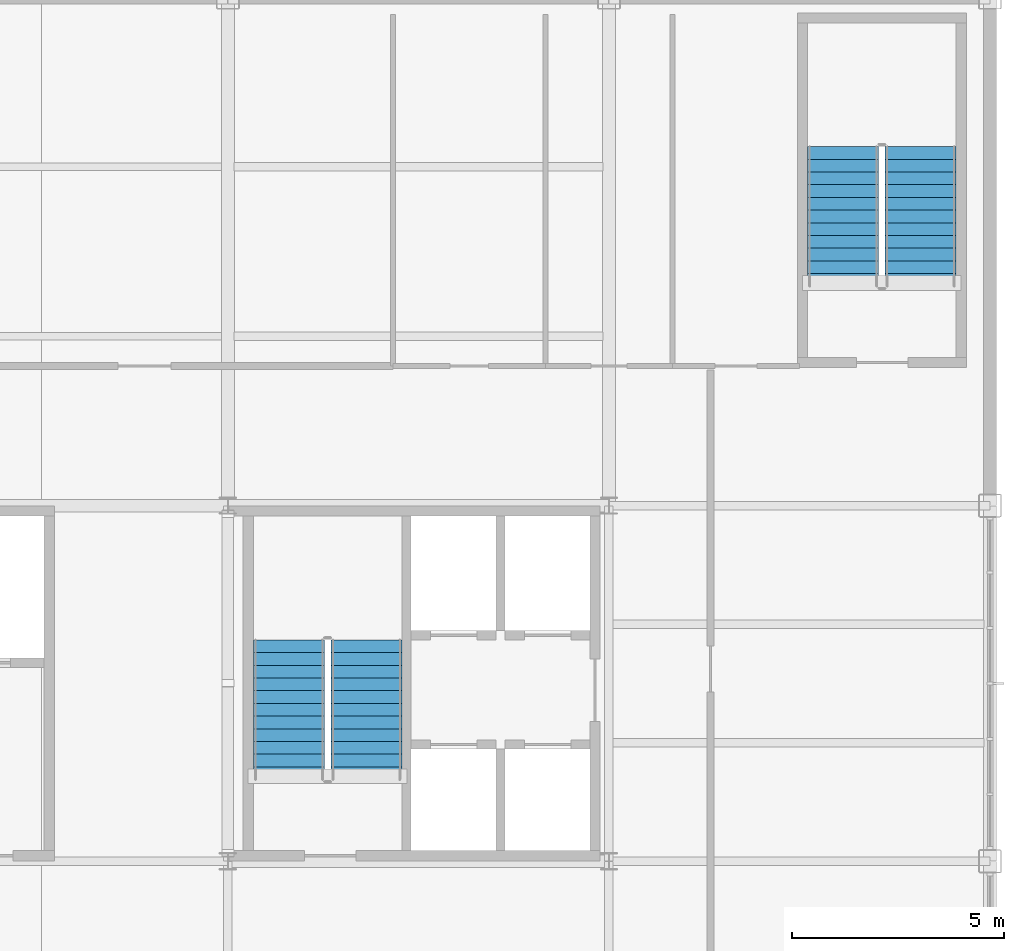
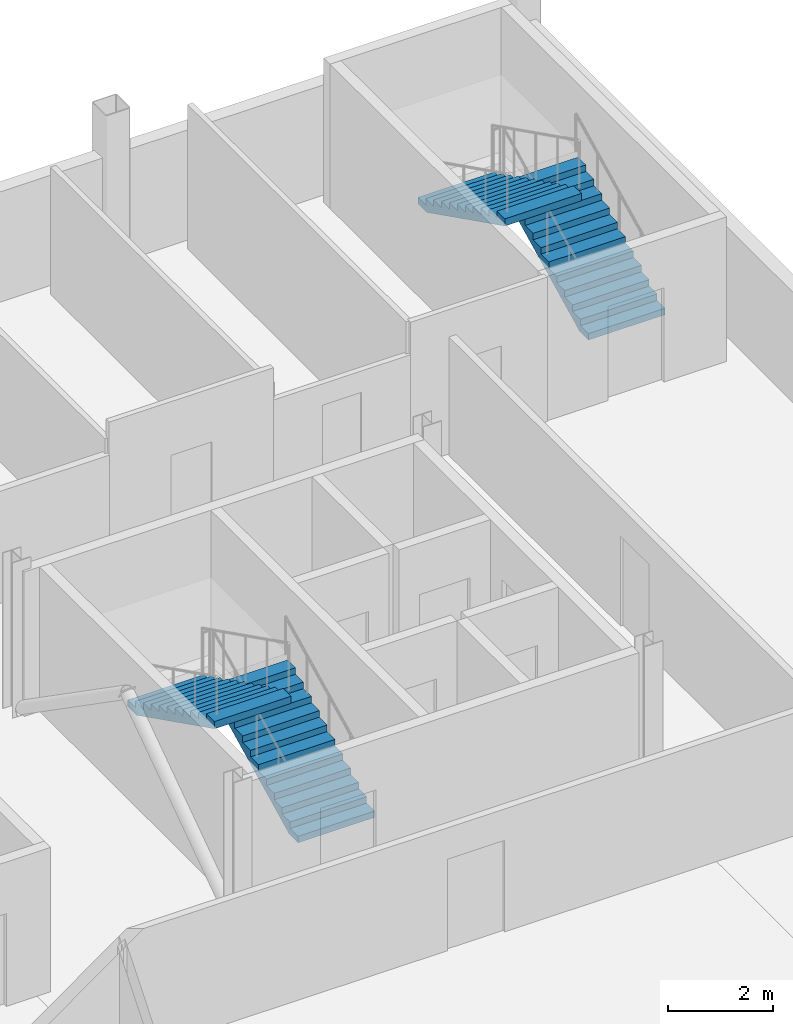
# One storey, part 16 of 18: 4 stair flights, 2 elements without a shape of their own.
"""IFC4 building model written with IfcOpenShell, lengths in metres."""

from ifc_helpers import new_model, si_unit, direction, frame, origin, place, context, subcontext, project, spatial, polyline, outline, extrude, material, type_object, element, aggregate, save


model = new_model("IFC4")

# Units and contexts
model_context = context("Model", 3, precision=1e-05, world=origin(), true_north=direction((0.0, 1.0)))
body_context = subcontext(model_context, "Body", "Model", "MODEL_VIEW")
ifc_project = project(units=[si_unit("LENGTHUNIT", "METRE"), si_unit("AREAUNIT", "SQUARE_METRE"), si_unit("VOLUMEUNIT", "CUBIC_METRE"), si_unit("PLANEANGLEUNIT", "RADIAN"), si_unit("MASSUNIT", "GRAM", prefix="KILO")], contexts=[model_context])

# Site, building, storey
site_placement = place(None, origin())
site = spatial("IfcSite", under=ifc_project, at=site_placement, CompositionType="ELEMENT")
building_placement = place(site_placement, origin())
building = spatial("IfcBuilding", under=site, at=building_placement, Name="Yukiwa Park Conservatory and Herbarium", CompositionType="ELEMENT")
storey_placement = place(building_placement, frame((0.0, 0.0, 24.60009765625)))
storey = spatial("IfcBuildingStorey", under=building, at=storey_placement, Name="L06", CompositionType="ELEMENT", Elevation=24.60009765625)

# Stair, stair flights
ifc_material_1 = material(Name="Concrete C40", Category="concrete")
stair_type_1 = type_object("IfcStairType", Name="ST-DOGLEG-ST-T2", PredefinedType="HALF_TURN_STAIR", material=ifc_material_1)
stair_1_placement = place(storey_placement, origin())
stair_1 = element("IfcStair", 1, at=stair_1_placement, inside=storey, type_object=stair_type_1, Name="L06 Protected Smoke-Proof Stair ST-T2", PredefinedType="HALF_TURN_STAIR")
ifc_material_2 = material(Name="Concrete C40", Category="concrete")
stair_flight_type = type_object("IfcStairFlightType", Name="STF-RC-1680", PredefinedType="STRAIGHT", material=ifc_material_2)
stair_flight_1_placement = place(storey_placement, frame((153.27001953125, 96.72998046875, 0.0), z_axis=(0.0, 0.0, 1.0), x_axis=(0.0, 1.0, 0.0)))
stair_flight_1 = element("IfcStairFlight", 2, at=stair_flight_1_placement, type_object=stair_flight_type, Name="ST-T2 flight 1", NumberOfRisers=12, NumberOfTreads=11, PredefinedType="STRAIGHT", RiserHeight=0.15, TreadLength=0.3, context=body_context, shape_type="SweptSolid", body=[
    extrude(outline(polyline([(0.0, 0.0), (0.0, 0.14990234375), (0.300048828125, 0.14990234375), (0.300048828125, 0.300048828125), (0.60009765625, 0.300048828125), (0.60009765625, 0.449951171875), (0.89990234375, 0.449951171875), (0.89990234375, 0.60009765625), (1.199951171875, 0.60009765625), (1.199951171875, 0.75), (1.5, 0.75), (1.5, 0.89990234375), (1.800048828125, 0.89990234375), (1.800048828125, 1.050048828125), (2.10009765625, 1.050048828125), (2.10009765625, 1.199951171875), (2.39990234375, 1.199951171875), (2.39990234375, 1.35009765625), (2.699951171875, 1.35009765625), (2.699951171875, 1.5), (3.0, 1.5), (3.0, 1.64990234375), (3.300048828125, 1.64990234375), (3.300048828125, 1.800048828125), (3.300048828125, 1.482421875), (0.335205078125, 0.0), (0.0, 0.0)])), frame((0.0, 0.83984375, 0.0), z_axis=(0.0, -1.0, 0.0), x_axis=(1.0, 0.0, 0.0)), (0.0, 0.0, 1.0), 1.679931640625),
])
stair_flight_2_placement = place(storey_placement, frame((151.43994140625, 100.030029296875, 1.7998046875), z_axis=(0.0, 0.0, 1.0), x_axis=(0.0, -1.0, 0.0)))
stair_flight_2 = element("IfcStairFlight", 3, at=stair_flight_2_placement, type_object=stair_flight_type, Name="ST-T2 flight 2", NumberOfRisers=12, NumberOfTreads=11, PredefinedType="STRAIGHT", RiserHeight=0.15, TreadLength=0.3, context=body_context, shape_type="SweptSolid", body=[
    extrude(outline(polyline([(0.0, 0.0), (0.0, 0.14990234375), (0.300048828125, 0.14990234375), (0.300048828125, 0.300048828125), (0.60009765625, 0.300048828125), (0.60009765625, 0.449951171875), (0.89990234375, 0.449951171875), (0.89990234375, 0.60009765625), (1.199951171875, 0.60009765625), (1.199951171875, 0.75), (1.5, 0.75), (1.5, 0.89990234375), (1.800048828125, 0.89990234375), (1.800048828125, 1.050048828125), (2.10009765625, 1.050048828125), (2.10009765625, 1.199951171875), (2.39990234375, 1.199951171875), (2.39990234375, 1.35009765625), (2.699951171875, 1.35009765625), (2.699951171875, 1.5), (3.0, 1.5), (3.0, 1.64990234375), (3.300048828125, 1.64990234375), (3.300048828125, 1.800048828125), (3.300048828125, 1.482421875), (0.335205078125, 0.0), (0.0, 0.0)])), frame((0.0, 0.83984375, 0.0), z_axis=(0.0, -1.0, 0.0), x_axis=(1.0, 0.0, 0.0)), (0.0, 0.0, 1.0), 1.679931640625),
])
aggregate(stair_1, [stair_flight_1, stair_flight_2])

ifc_material_3 = material(Name="Concrete C40", Category="concrete")
stair_type_2 = type_object("IfcStairType", Name="ST-DOGLEG-ST-T3", PredefinedType="HALF_TURN_STAIR", material=ifc_material_3)
stair_2_placement = place(storey_placement, origin())
stair_2 = element("IfcStair", 4, at=stair_2_placement, inside=storey, type_object=stair_type_2, Name="L06 Protected Smoke-Proof Stair ST-T3", PredefinedType="HALF_TURN_STAIR")
stair_flight_3_placement = place(storey_placement, frame((166.360107421875, 108.3798828125, 0.0), z_axis=(0.0, 0.0, 1.0), x_axis=(0.0, 1.0, 0.0)))
stair_flight_3 = element("IfcStairFlight", 5, at=stair_flight_3_placement, type_object=stair_flight_type, Name="ST-T3 flight 1", NumberOfRisers=12, NumberOfTreads=11, PredefinedType="STRAIGHT", RiserHeight=0.15, TreadLength=0.3, context=body_context, shape_type="SweptSolid", body=[
    extrude(outline(polyline([(0.0, 0.0), (0.0, 0.14990234375), (0.300048828125, 0.14990234375), (0.300048828125, 0.300048828125), (0.60009765625, 0.300048828125), (0.60009765625, 0.449951171875), (0.89990234375, 0.449951171875), (0.89990234375, 0.60009765625), (1.199951171875, 0.60009765625), (1.199951171875, 0.75), (1.5, 0.75), (1.5, 0.89990234375), (1.800048828125, 0.89990234375), (1.800048828125, 1.050048828125), (2.10009765625, 1.050048828125), (2.10009765625, 1.199951171875), (2.39990234375, 1.199951171875), (2.39990234375, 1.35009765625), (2.699951171875, 1.35009765625), (2.699951171875, 1.5), (3.0, 1.5), (3.0, 1.64990234375), (3.300048828125, 1.64990234375), (3.300048828125, 1.800048828125), (3.300048828125, 1.482421875), (0.335205078125, 0.0), (0.0, 0.0)])), frame((0.0, 0.83984375, 0.0), z_axis=(0.0, -1.0, 0.0), x_axis=(1.0, 0.0, 0.0)), (0.0, 0.0, 1.0), 1.679931640625),
])
stair_flight_4_placement = place(storey_placement, frame((164.530029296875, 111.679931640625, 1.7998046875), z_axis=(0.0, 0.0, 1.0), x_axis=(0.0, -1.0, 0.0)))
stair_flight_4 = element("IfcStairFlight", 6, at=stair_flight_4_placement, type_object=stair_flight_type, Name="ST-T3 flight 2", NumberOfRisers=12, NumberOfTreads=11, PredefinedType="STRAIGHT", RiserHeight=0.15, TreadLength=0.3, context=body_context, shape_type="SweptSolid", body=[
    extrude(outline(polyline([(0.0, 0.0), (0.0, 0.14990234375), (0.300048828125, 0.14990234375), (0.300048828125, 0.300048828125), (0.60009765625, 0.300048828125), (0.60009765625, 0.449951171875), (0.89990234375, 0.449951171875), (0.89990234375, 0.60009765625), (1.199951171875, 0.60009765625), (1.199951171875, 0.75), (1.5, 0.75), (1.5, 0.89990234375), (1.800048828125, 0.89990234375), (1.800048828125, 1.050048828125), (2.10009765625, 1.050048828125), (2.10009765625, 1.199951171875), (2.39990234375, 1.199951171875), (2.39990234375, 1.35009765625), (2.699951171875, 1.35009765625), (2.699951171875, 1.5), (3.0, 1.5), (3.0, 1.64990234375), (3.300048828125, 1.64990234375), (3.300048828125, 1.800048828125), (3.300048828125, 1.482421875), (0.335205078125, 0.0), (0.0, 0.0)])), frame((0.0, 0.83984375, 0.0), z_axis=(0.0, -1.0, 0.0), x_axis=(1.0, 0.0, 0.0)), (0.0, 0.0, 1.0), 1.679931640625),
])
aggregate(stair_2, [stair_flight_3, stair_flight_4])

save(model, "model.ifc")
